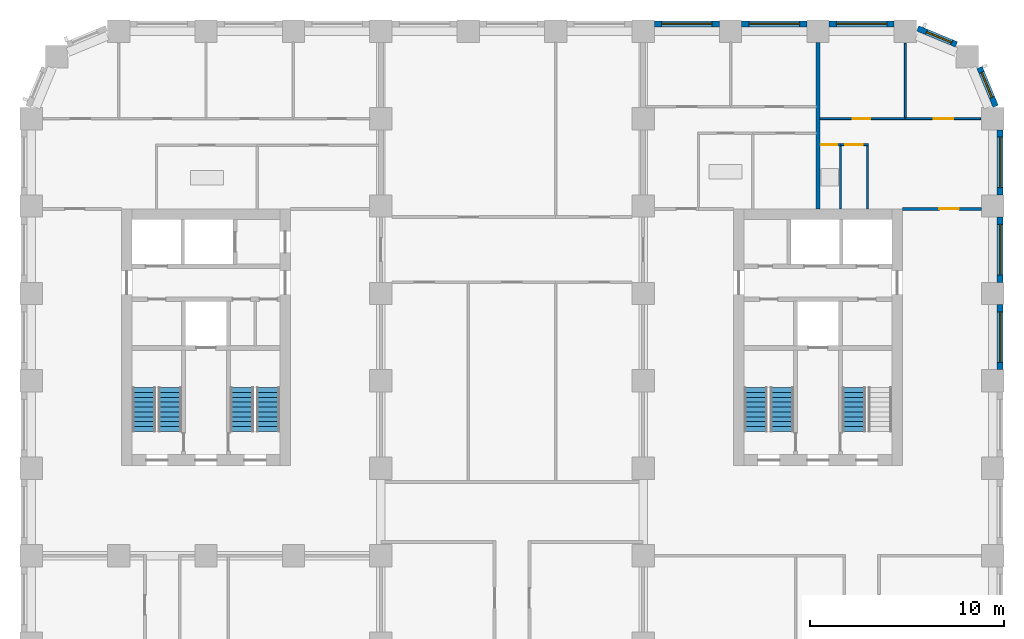
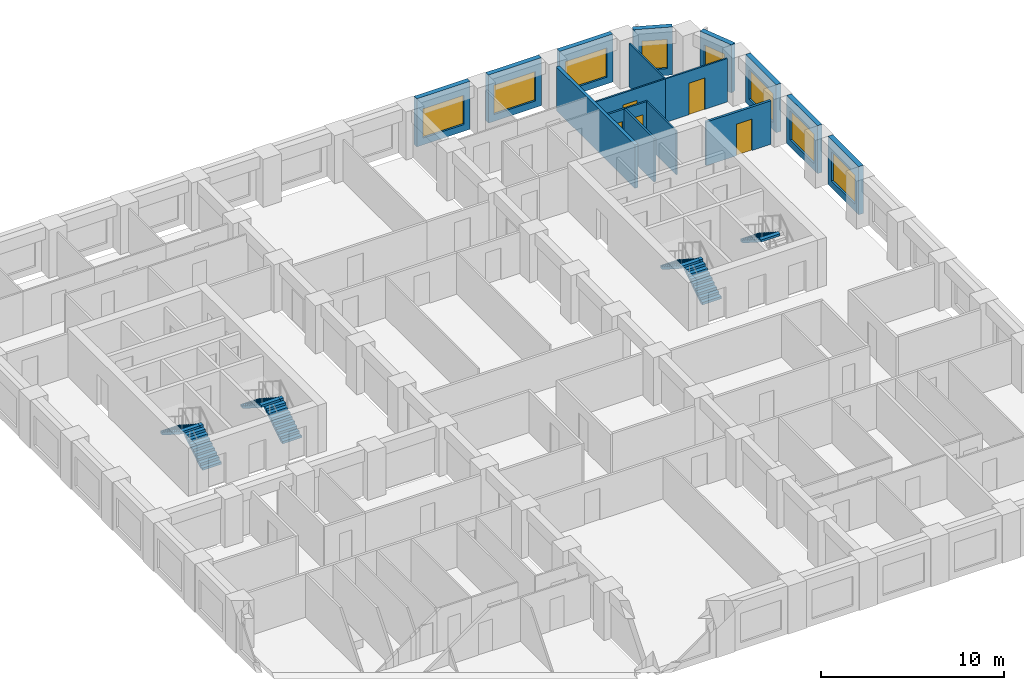
# One storey, part 9 of 13: 17 walls, 8 windows, 7 stair flights, 5 doors, 13 openings, 4 elements without a shape of their own.
"""IFC4 building model written with IfcOpenShell, lengths in metres."""

import ifcopenshell
import ifcopenshell.guid

model = None  # the IFC model being written
_history = None  # IfcOwnerHistory: only IFC2X3 demands one
_inside = {}  # id of a spatial element -> (the spatial element, [elements in it])
_under = {}  # id of a project, library or spatial element -> (it, [spatial elements below it])
_declared = {}  # id of a project -> (the project, [libraries it declares])
_typed = {}  # id of a type object -> (the type object, [elements of that type])
_made_of = {}  # id of a material, layer set ... -> (it, [elements and type objects made of it])


def new_model(schema):
    """Start an empty IFC model of exactly this schema.

    Asked for "IFC4X3", IfcOpenShell would pick the latest addendum, in which some entities
    have other attributes; the version numbers below select the first issue.
    IFC2X3 requires an IfcOwnerHistory on every rooted entity: one is made here for all.
    """
    global model, _history
    if schema == "IFC4X3":
        model = ifcopenshell.file(schema_version=(4, 3, 0, 0))
    else:
        model = ifcopenshell.file(schema=schema)
    _inside.clear()
    _under.clear()
    _declared.clear()
    _typed.clear()
    _made_of.clear()
    _history = None
    if model.schema == "IFC2X3":
        org = make("IfcOrganization", Name="unknown")
        user = make(
            "IfcPersonAndOrganization",
            ThePerson=make("IfcPerson", FamilyName="unknown"),
            TheOrganization=org,
        )
        app = make(
            "IfcApplication",
            ApplicationDeveloper=org,
            Version="unknown",
            ApplicationFullName="unknown",
            ApplicationIdentifier="unknown",
        )
        _history = make(
            "IfcOwnerHistory",
            OwningUser=user,
            OwningApplication=app,
            ChangeAction="ADDED",
            CreationDate=0,
        )
    return model


def make(cls, **values):
    """One entity of the class cls with the attributes given. An attribute that is None is left unset."""
    return model.create_entity(
        cls, **{name: value for name, value in values.items() if value is not None}
    )


def rooted(cls, **values):
    """An entity with a GlobalId (a new one), such as an element, a storey or a relation."""
    return make(cls, GlobalId=ifcopenshell.guid.new(), OwnerHistory=_history, **values)


def si_unit(unit_type, name, prefix=None):
    """IfcSIUnit, for example si_unit("LENGTHUNIT", "METRE", prefix="MILLI")."""
    return make("IfcSIUnit", UnitType=unit_type, Prefix=prefix, Name=name)


def assignment(units):
    """IfcUnitAssignment: the units of a project."""
    return None if units is None else make("IfcUnitAssignment", Units=units)


def point(xyz):
    """IfcCartesianPoint."""
    return None if xyz is None else make("IfcCartesianPoint", Coordinates=xyz)


def direction(xyz):
    """IfcDirection."""
    return None if xyz is None else make("IfcDirection", DirectionRatios=xyz)


def frame(location, z_axis=None, x_axis=None):
    """IfcAxis2Placement3D, a coordinate frame: its origin and axes. An axis left out is left unset."""
    return make(
        "IfcAxis2Placement3D",
        Location=point(location),
        Axis=direction(z_axis),
        RefDirection=direction(x_axis),
    )


def frame_2d(location, x_axis=None):
    """IfcAxis2Placement2D, a coordinate frame in the plane: its origin and x axis."""
    return make(
        "IfcAxis2Placement2D", Location=point(location), RefDirection=direction(x_axis)
    )


def origin():
    """The frame at (0, 0, 0) with its axes left unset."""
    return frame((0.0, 0.0, 0.0))


def place(relative_to, where):
    """IfcLocalPlacement: puts the frame where relative to a parent placement (None: the world)."""
    return make(
        "IfcLocalPlacement", PlacementRelTo=relative_to, RelativePlacement=where
    )


def context(
    kind, dimensions, precision=None, world=None, true_north=None, identifier=None
):
    """IfcGeometricRepresentationContext, for example the 3D "Model" context."""
    return make(
        "IfcGeometricRepresentationContext",
        ContextIdentifier=identifier,
        ContextType=kind,
        CoordinateSpaceDimension=dimensions,
        Precision=precision,
        WorldCoordinateSystem=world,
        TrueNorth=true_north,
    )


def subcontext(parent, identifier, kind, view, scale=None):
    """IfcGeometricRepresentationSubContext, for example "Body" below "Model"."""
    return make(
        "IfcGeometricRepresentationSubContext",
        ContextIdentifier=identifier,
        ContextType=kind,
        ParentContext=parent,
        TargetScale=scale,
        TargetView=view,
    )


def project(units=None, contexts=None):
    """IfcProject with its units and contexts."""
    return rooted(
        "IfcProject",
        Name="project",
        RepresentationContexts=contexts,
        UnitsInContext=assignment(units),
    )


def spatial(cls, under=None, at=None, **own):
    """A site, building, storey or space (cls), placed at a placement, below another one or the project."""
    s = rooted(cls, ObjectPlacement=at, **own)
    if under is not None:
        _under.setdefault(under.id(), (under, []))[1].append(s)
    return s


def polyline(points):
    """IfcPolyline through the points."""
    return make("IfcPolyline", Points=[point(p) for p in points])


def profile(cls, at=None, kind="AREA", **sizes):
    """A parametric profile (cls). Its sizes go by their IFC names, for example OverallWidth=200.0."""
    return make(cls, ProfileType=kind, Position=at, **sizes)


def rectangle(**sizes):
    """IfcRectangleProfileDef."""
    return profile("IfcRectangleProfileDef", **sizes)


def outline(outer, holes=None, kind="AREA"):
    """IfcArbitraryClosedProfileDef: a profile drawn as a closed curve; with holes, ...WithVoids."""
    if holes is None:
        return make("IfcArbitraryClosedProfileDef", ProfileType=kind, OuterCurve=outer)
    return make(
        "IfcArbitraryProfileDefWithVoids",
        ProfileType=kind,
        OuterCurve=outer,
        InnerCurves=holes,
    )


def extrude(swept, where, along, depth):
    """IfcExtrudedAreaSolid: the profile swept, set in the frame where, extruded along a direction by depth."""
    return make(
        "IfcExtrudedAreaSolid",
        SweptArea=swept,
        Position=where,
        ExtrudedDirection=direction(along),
        Depth=depth,
    )


def shape(context_of_items, identifier, shape_type, items):
    """IfcShapeRepresentation: the items that make up one representation, for example the "Body"."""
    return make(
        "IfcShapeRepresentation",
        ContextOfItems=context_of_items,
        RepresentationIdentifier=identifier,
        RepresentationType=shape_type,
        Items=items,
    )


def material(Name=None, Category=None):
    """IfcMaterial."""
    return make("IfcMaterial", Name=Name, Category=Category)


def layer(
    of_material, thickness, ventilated=None, Name=None, Category=None, Priority=None
):
    """IfcMaterialLayer: one layer of a wall or slab, of a material (None: an air gap)."""
    return make(
        "IfcMaterialLayer",
        Material=of_material,
        LayerThickness=thickness,
        IsVentilated=ventilated,
        Name=Name,
        Category=Category,
        Priority=Priority,
    )


def layer_set(layers, Name=None):
    """IfcMaterialLayerSet."""
    return make("IfcMaterialLayerSet", MaterialLayers=layers, LayerSetName=Name)


def made_of(thing, what):
    """Note that an element or type object is made of a material, layer set ...; save() writes the relation."""
    if what is not None:
        _made_of.setdefault(what.id(), (what, []))[1].append(thing)
    return thing


def type_object(cls, material=None, **own):
    """A type object (cls), such as IfcWallType, which elements share."""
    return made_of(rooted(cls, **own), material)


def element(
    cls,
    number,
    at=None,
    inside=None,
    cuts=None,
    type_object=None,
    material=None,
    context=None,
    identifier="Body",
    shape_type=None,
    held_by="IfcProductDefinitionShape",
    body=None,
    shapes=None,
    **own,
):
    """One element of the class cls, such as IfcWall. Its Tag is "e" and its number.

    at: its placement. inside: the storey or other place that contains it. cuts: it is an
    opening in that element (IfcRelVoidsElement). A single representation is given by context,
    identifier, shape_type and body (its items); several are given by shapes. held_by: the class
    of the entity that holds the representations. save() writes the other relations.
    """
    e = rooted(cls, Tag="e%d" % number, ObjectPlacement=at, **own)
    if body is not None:
        shapes = [shape(context, identifier, shape_type, body)]
    if shapes is not None:
        e.Representation = make(held_by, Representations=shapes)
    if inside is not None:
        _inside.setdefault(inside.id(), (inside, []))[1].append(e)
    if cuts is not None:
        rooted(
            "IfcRelVoidsElement", RelatingBuildingElement=cuts, RelatedOpeningElement=e
        )
    if type_object is not None:
        _typed.setdefault(type_object.id(), (type_object, []))[1].append(e)
    return made_of(e, material)


def fill(opening, filler):
    """IfcRelFillsElement: the door or window that sits in an opening."""
    return rooted(
        "IfcRelFillsElement",
        RelatingOpeningElement=opening,
        RelatedBuildingElement=filler,
    )


def aggregate(whole, parts):
    """IfcRelAggregates: a whole, such as a stair, and the parts it consists of."""
    return rooted("IfcRelAggregates", RelatingObject=whole, RelatedObjects=parts)


def save(model, path):
    """Write the relations noted so far, then the file.

    IfcRelAggregates (storeys below a building ...), IfcRelContainedInSpatialStructure (elements
    in a storey), IfcRelDefinesByType, IfcRelAssociatesMaterial and IfcRelDeclares: one each for
    every whole, place, type object, material and project.
    """
    for whole, parts in _under.values():
        aggregate(whole, parts)
    for where, things in _inside.values():
        rooted(
            "IfcRelContainedInSpatialStructure",
            RelatedElements=things,
            RelatingStructure=where,
        )
    for kind, things in _typed.values():
        rooted("IfcRelDefinesByType", RelatedObjects=things, RelatingType=kind)
    for what, things in _made_of.values():
        rooted("IfcRelAssociatesMaterial", RelatedObjects=things, RelatingMaterial=what)
    for by, libraries in _declared.values():
        rooted("IfcRelDeclares", RelatingContext=by, RelatedDefinitions=libraries)
    model.write(path)


model = new_model("IFC4")

# Units and contexts
model_context = context("Model", 3, precision=1e-05, world=origin(), true_north=direction((0.0, 1.0)))
body_context = subcontext(model_context, "Body", "Model", "MODEL_VIEW")
ifc_project = project(units=[si_unit("LENGTHUNIT", "METRE"), si_unit("AREAUNIT", "SQUARE_METRE"), si_unit("VOLUMEUNIT", "CUBIC_METRE"), si_unit("PLANEANGLEUNIT", "RADIAN"), si_unit("MASSUNIT", "GRAM", prefix="KILO")], contexts=[model_context])

# Site, building, storey
site_placement = place(None, origin())
site = spatial("IfcSite", under=ifc_project, at=site_placement, CompositionType="ELEMENT")
building_placement = place(site_placement, origin())
building = spatial("IfcBuilding", under=site, at=building_placement, Name="Girih Gate Residences", CompositionType="ELEMENT")
storey_placement = place(building_placement, frame((0.0, 0.0, 102.39990234375)))
storey = spatial("IfcBuildingStorey", under=building, at=storey_placement, Name="L28", CompositionType="ELEMENT", Elevation=102.39990234375)

# Wall, opening, door
ifc_material_1 = material(Name="Gypsum board on steel studs", Category="steel")
ifc_layer_1 = layer(ifc_material_1, 0.14990234375)
ifc_layer_set_1 = layer_set([ifc_layer_1], Name="Compartment wall 150 mm")
wall_type_1 = type_object("IfcWallType", Name="Compartment wall 150 mm", PredefinedType="PARTITIONING", material=ifc_layer_set_1)
wall_1_placement = place(storey_placement, frame((44.85009765625, 40.35009765625, 0.0), z_axis=(0.0, 0.0, 1.0), x_axis=(1.0, 0.0, 0.0)))
wall_1 = element("IfcWall", 1, at=wall_1_placement, inside=storey, type_object=wall_type_1, Name="L28 partition", PredefinedType="PARTITIONING", context=body_context, shape_type="SweptSolid", body=[
    extrude(rectangle(XDim=4.074951171875, YDim=0.14990234375, at=frame_2d((2.03759765625, 0.0))), origin(), (0.0, 0.0, 1.0), 2.900146484375),
])
opening_1_placement = place(wall_1_placement, frame((1.89990234375, 0.0, 0.0)))
opening_1 = element("IfcOpeningElement", 2, at=opening_1_placement, cuts=wall_1, Name="Opening A28-033", PredefinedType="OPENING", context=body_context, shape_type="SweptSolid", body=[
    extrude(rectangle(XDim=1.0, YDim=2.10009765625, at=frame_2d((0.5, 1.050048828125))), frame((0.0, 0.0849609375, 0.0), z_axis=(0.0, -1.0, 0.0), x_axis=(1.0, 0.0, 0.0)), (0.0, 0.0, 1.0), 0.169921875),
])
ifc_material_2 = material(Name="Timber, fire-rated core", Category="wood")
door_type_1 = type_object("IfcDoorType", Name="Flat entrance door 1000x2100 FD30S", OperationType="NOTDEFINED", PredefinedType="DOOR", material=ifc_material_2)
door_1_placement = place(opening_1_placement, origin())
door_1 = element("IfcDoor", 3, at=door_1_placement, inside=storey, type_object=door_type_1, Name="Door A28-033", OperationType="SINGLE_SWING_RIGHT", OverallHeight=2.10009765625, OverallWidth=1.0, PredefinedType="DOOR", context=body_context, shape_type="SweptSolid", body=[
    extrude(rectangle(XDim=1.0, YDim=2.10009765625, at=frame_2d((0.5, 1.050048828125))), frame((0.0, 0.02490234375, 0.0), z_axis=(0.0, -1.0, 0.0), x_axis=(1.0, 0.0, 0.0)), (0.0, 0.0, 1.0), 0.050048828125),
])
fill(opening_1, door_1)

ifc_layer_2 = layer(ifc_material_1, 0.10009765625)
ifc_layer_set_2 = layer_set([ifc_layer_2], Name="Partition 100 mm")
wall_type_2 = type_object("IfcWallType", Name="Partition 100 mm", PredefinedType="PARTITIONING", material=ifc_layer_set_2)
wall_2_placement = place(storey_placement, frame((40.60009765625, 45.0, 0.0), z_axis=(0.0, 0.0, 1.0), x_axis=(1.0, 0.0, 0.0)))
wall_2 = element("IfcWall", 4, at=wall_2_placement, inside=storey, type_object=wall_type_2, Name="L28 partition", PredefinedType="PARTITIONING", context=body_context, shape_type="SweptSolid", body=[
    extrude(rectangle(XDim=4.39990234375, YDim=0.10009765625, at=frame_2d((2.199951171875, 0.0))), origin(), (0.0, 0.0, 1.0), 2.900146484375),
])
opening_2_placement = place(wall_2_placement, frame((1.699951171875, 0.0, 0.0)))
opening_2 = element("IfcOpeningElement", 5, at=opening_2_placement, cuts=wall_2, Name="Opening A28-030", PredefinedType="OPENING", context=body_context, shape_type="SweptSolid", body=[
    extrude(rectangle(XDim=0.89990234375, YDim=2.10009765625, at=frame_2d((0.449951171875, 1.050048828125))), frame((0.0, 0.06005859375, 0.0), z_axis=(0.0, -1.0, 0.0), x_axis=(1.0, 0.0, 0.0)), (0.0, 0.0, 1.0), 0.1201171875),
])
ifc_material_3 = material(Name="Timber", Category="wood")
door_type_2 = type_object("IfcDoorType", Name="Bedroom door 900x2100", OperationType="NOTDEFINED", PredefinedType="DOOR", material=ifc_material_3)
door_2_placement = place(opening_2_placement, origin())
door_2 = element("IfcDoor", 6, at=door_2_placement, inside=storey, type_object=door_type_2, Name="Door A28-030", OperationType="SINGLE_SWING_LEFT", OverallHeight=2.10009765625, OverallWidth=0.89990234375, PredefinedType="DOOR", context=body_context, shape_type="SweptSolid", body=[
    extrude(rectangle(XDim=0.89990234375, YDim=2.10009765625, at=frame_2d((0.449951171875, 1.050048828125))), frame((0.0, 0.02490234375, 0.0), z_axis=(0.0, -1.0, 0.0), x_axis=(1.0, 0.0, 0.0)), (0.0, 0.0, 1.0), 0.050048828125),
])
fill(opening_2, door_2)

# Walls
wall_3_placement = place(storey_placement, frame((45.0, 45.050048828125, 0.0), z_axis=(0.0, 0.0, 1.0), x_axis=(0.0, 1.0, 0.0)))
element("IfcWall", 7, at=wall_3_placement, inside=storey, type_object=wall_type_2, Name="L28 partition", PredefinedType="PARTITIONING", context=body_context, shape_type="SweptSolid", body=[
    extrude(rectangle(XDim=3.82763671875, YDim=0.10009765625, at=frame_2d((1.913818359375, 0.0))), origin(), (0.0, 0.0, 1.0), 2.900146484375),
])
wall_4_placement = place(storey_placement, frame((43.050048828125, 40.35009765625, 0.0), z_axis=(0.0, 0.0, 1.0), x_axis=(0.0, 1.0, 0.0)))
element("IfcWall", 8, at=wall_4_placement, inside=storey, type_object=wall_type_2, Name="L28 partition", PredefinedType="PARTITIONING", context=body_context, shape_type="SweptSolid", body=[
    extrude(rectangle(XDim=3.260009765625, YDim=0.10009765625, at=frame_2d((1.6298828125, 0.0))), origin(), (0.0, 0.0, 1.0), 2.900146484375),
])

# Wall, opening, door
wall_5_placement = place(storey_placement, frame((43.10009765625, 43.659912109375, 0.0), z_axis=(0.0, 0.0, 1.0), x_axis=(-1.0, 0.0, 0.0)))
wall_5 = element("IfcWall", 9, at=wall_5_placement, inside=storey, type_object=wall_type_2, Name="L28 partition", PredefinedType="PARTITIONING", context=body_context, shape_type="SweptSolid", body=[
    extrude(rectangle(XDim=1.44091796875, YDim=0.10009765625, at=frame_2d((0.720458984375, 0.0))), origin(), (0.0, 0.0, 1.0), 2.900146484375),
])
opening_3_placement = place(wall_5_placement, frame((0.29541015625, 0.0, 0.0)))
opening_3 = element("IfcOpeningElement", 10, at=opening_3_placement, cuts=wall_5, Name="Opening A28-031", PredefinedType="OPENING", context=body_context, shape_type="SweptSolid", body=[
    extrude(rectangle(XDim=0.89990234375, YDim=2.10009765625, at=frame_2d((0.449951171875, 1.050048828125))), frame((0.0, 0.06005859375, 0.0), z_axis=(0.0, -1.0, 0.0), x_axis=(1.0, 0.0, 0.0)), (0.0, 0.0, 1.0), 0.1201171875),
])
door_type_3 = type_object("IfcDoorType", Name="Kitchen door 900x2100", OperationType="NOTDEFINED", PredefinedType="DOOR", material=ifc_material_3)
door_3_placement = place(opening_3_placement, origin())
door_3 = element("IfcDoor", 11, at=door_3_placement, inside=storey, type_object=door_type_3, Name="Door A28-031", OperationType="SINGLE_SWING_RIGHT", OverallHeight=2.10009765625, OverallWidth=0.89990234375, PredefinedType="DOOR", context=body_context, shape_type="SweptSolid", body=[
    extrude(rectangle(XDim=0.89990234375, YDim=2.10009765625, at=frame_2d((0.449951171875, 1.050048828125))), frame((0.0, 0.02490234375, 0.0), z_axis=(0.0, -1.0, 0.0), x_axis=(1.0, 0.0, 0.0)), (0.0, 0.0, 1.0), 0.050048828125),
])
fill(opening_3, door_3)

wall_6_placement = place(storey_placement, frame((45.0, 45.0, 0.0), z_axis=(0.0, 0.0, 1.0), x_axis=(1.0, 0.0, 0.0)))
wall_6 = element("IfcWall", 12, at=wall_6_placement, inside=storey, type_object=wall_type_2, Name="L28 partition", PredefinedType="PARTITIONING", context=body_context, shape_type="SweptSolid", body=[
    extrude(rectangle(XDim=3.877685546875, YDim=0.10009765625, at=frame_2d((1.93896484375, 0.0))), origin(), (0.0, 0.0, 1.0), 2.900146484375),
])
opening_4_placement = place(wall_6_placement, frame((1.46240234375, 0.0, 0.0)))
opening_4 = element("IfcOpeningElement", 13, at=opening_4_placement, cuts=wall_6, Name="Opening A28-032", PredefinedType="OPENING", context=body_context, shape_type="SweptSolid", body=[
    extrude(rectangle(XDim=1.0, YDim=2.10009765625, at=frame_2d((0.5, 1.050048828125))), frame((0.0, 0.06005859375, 0.0), z_axis=(0.0, -1.0, 0.0), x_axis=(1.0, 0.0, 0.0)), (0.0, 0.0, 1.0), 0.1201171875),
])
door_type_4 = type_object("IfcDoorType", Name="Living room door 1000x2100", OperationType="NOTDEFINED", PredefinedType="DOOR", material=ifc_material_3)
door_4_placement = place(opening_4_placement, origin())
door_4 = element("IfcDoor", 14, at=door_4_placement, inside=storey, type_object=door_type_4, Name="Door A28-032", OperationType="SINGLE_SWING_RIGHT", OverallHeight=2.10009765625, OverallWidth=1.0, PredefinedType="DOOR", context=body_context, shape_type="SweptSolid", body=[
    extrude(rectangle(XDim=1.0, YDim=2.10009765625, at=frame_2d((0.5, 1.050048828125))), frame((0.0, 0.02490234375, 0.0), z_axis=(0.0, -1.0, 0.0), x_axis=(1.0, 0.0, 0.0)), (0.0, 0.0, 1.0), 0.050048828125),
])
fill(opening_4, door_4)

# Wall
ifc_layer_3 = layer(ifc_material_1, 0.199951171875)
ifc_layer_set_3 = layer_set([ifc_layer_3], Name="Party wall 200 mm")
wall_type_3 = type_object("IfcWallType", Name="Party wall 200 mm", PredefinedType="PARTITIONING", material=ifc_layer_set_3)
wall_7_placement = place(storey_placement, frame((40.5, 40.35009765625, 0.0), z_axis=(0.0, 0.0, 1.0), x_axis=(0.0, 1.0, 0.0)))
element("IfcWall", 15, at=wall_7_placement, inside=storey, type_object=wall_type_3, Name="L28 partition", PredefinedType="PARTITIONING", context=body_context, shape_type="SweptSolid", body=[
    extrude(rectangle(XDim=8.574951171875, YDim=0.199951171875, at=frame_2d((4.28759765625, 0.0))), origin(), (0.0, 0.0, 1.0), 2.900146484375),
])

# Wall, opening, window
ifc_material_4 = material(Name="Precast concrete C50/60", Category="concrete")
ifc_layer_4 = layer(ifc_material_4, 0.080078125, Name="Outer leaf")
ifc_material_5 = material(Name="Rigid PIR insulation")
ifc_layer_5 = layer(ifc_material_5, 0.14990234375, Name="Insulation")
ifc_material_6 = material(Name="Precast concrete C40/50", Category="concrete")
ifc_layer_6 = layer(ifc_material_6, 0.070068359375, Name="Inner leaf")
ifc_layer_set_4 = layer_set([ifc_layer_4, ifc_layer_5, ifc_layer_6], Name="Precast concrete C50/60 external wall 300")
wall_type_4 = type_object("IfcWallType", Name="Precast concrete C50/60 external wall 300", PredefinedType="SOLIDWALL", material=ifc_layer_set_4)
wall_8_placement = place(storey_placement, frame((49.875, 35.425048828125, 0.0), z_axis=(0.0, 0.0, 1.0), x_axis=(0.0, -1.0, 0.0)))
wall_8 = element("IfcWall", 16, at=wall_8_placement, inside=storey, type_object=wall_type_4, Name="External wall E0495_0045.6", PredefinedType="SOLIDWALL", context=body_context, shape_type="SweptSolid", body=[
    extrude(rectangle(XDim=3.35009765625, YDim=0.300048828125, at=frame_2d((1.675048828125, 0.0))), origin(), (0.0, 0.0, 1.0), 3.2001953125),
])
opening_5_placement = place(wall_8_placement, frame((0.375, 0.0, 0.449951171875)))
opening_5 = element("IfcOpeningElement", 17, at=opening_5_placement, cuts=wall_8, Name="Opening W-1A", PredefinedType="OPENING", context=body_context, shape_type="SweptSolid", body=[
    extrude(rectangle(XDim=2.60009765625, YDim=1.949951171875, at=frame_2d((1.300048828125, 0.97509765625))), frame((0.0, 0.159912109375, 0.0), z_axis=(0.0, -1.0, 0.0), x_axis=(1.0, 0.0, 0.0)), (0.0, 0.0, 1.0), 0.320068359375),
])
ifc_material_7 = material(Name="Double glazing in aluminium frame", Category="aluminium")
window_type_1 = type_object("IfcWindowType", Name="Window W-1A 2600x1950", PartitioningType="SINGLE_PANEL", PredefinedType="WINDOW", material=ifc_material_7)
window_1_placement = place(opening_5_placement, origin())
window_1 = element("IfcWindow", 18, at=window_1_placement, inside=storey, type_object=window_type_1, Name="Window W-1A E0495_0045.6", OverallHeight=1.949951171875, OverallWidth=2.60009765625, PartitioningType="SINGLE_PANEL", PredefinedType="WINDOW", context=body_context, shape_type="SweptSolid", body=[
    extrude(rectangle(XDim=2.60009765625, YDim=1.949951171875, at=frame_2d((1.300048828125, 0.97509765625))), frame((0.0, 0.030029296875, 0.0), z_axis=(0.0, -1.0, 0.0), x_axis=(1.0, 0.0, 0.0)), (0.0, 0.0, 1.0), 0.06005859375),
])
fill(opening_5, window_1)

wall_9_placement = place(storey_placement, frame((49.875, 39.925048828125, 0.0), z_axis=(0.0, 0.0, 1.0), x_axis=(0.0, -1.0, 0.0)))
wall_9 = element("IfcWall", 19, at=wall_9_placement, inside=storey, type_object=wall_type_4, Name="External wall E0495_0045.7", PredefinedType="SOLIDWALL", context=body_context, shape_type="SweptSolid", body=[
    extrude(rectangle(XDim=3.35009765625, YDim=0.300048828125, at=frame_2d((1.675048828125, 0.0))), origin(), (0.0, 0.0, 1.0), 3.2001953125),
])
opening_6_placement = place(wall_9_placement, frame((0.375, 0.0, 0.449951171875)))
opening_6 = element("IfcOpeningElement", 20, at=opening_6_placement, cuts=wall_9, Name="Opening W-1A", PredefinedType="OPENING", context=body_context, shape_type="SweptSolid", body=[
    extrude(rectangle(XDim=2.60009765625, YDim=1.949951171875, at=frame_2d((1.300048828125, 0.97509765625))), frame((0.0, 0.159912109375, 0.0), z_axis=(0.0, -1.0, 0.0), x_axis=(1.0, 0.0, 0.0)), (0.0, 0.0, 1.0), 0.320068359375),
])
window_2_placement = place(opening_6_placement, origin())
window_2 = element("IfcWindow", 21, at=window_2_placement, inside=storey, type_object=window_type_1, Name="Window W-1A E0495_0045.7", OverallHeight=1.949951171875, OverallWidth=2.60009765625, PartitioningType="SINGLE_PANEL", PredefinedType="WINDOW", context=body_context, shape_type="SweptSolid", body=[
    extrude(rectangle(XDim=2.60009765625, YDim=1.949951171875, at=frame_2d((1.300048828125, 0.97509765625))), frame((0.0, 0.030029296875, 0.0), z_axis=(0.0, -1.0, 0.0), x_axis=(1.0, 0.0, 0.0)), (0.0, 0.0, 1.0), 0.06005859375),
])
fill(opening_6, window_2)

wall_10_placement = place(storey_placement, frame((49.875, 44.425048828125, 0.0), z_axis=(0.0, 0.0, 1.0), x_axis=(0.0, -1.0, 0.0)))
wall_10 = element("IfcWall", 22, at=wall_10_placement, inside=storey, type_object=wall_type_4, Name="External wall E0495_0045.8", PredefinedType="SOLIDWALL", context=body_context, shape_type="SweptSolid", body=[
    extrude(rectangle(XDim=3.35009765625, YDim=0.300048828125, at=frame_2d((1.675048828125, 0.0))), origin(), (0.0, 0.0, 1.0), 3.2001953125),
])
opening_7_placement = place(wall_10_placement, frame((0.375, 0.0, 0.449951171875)))
opening_7 = element("IfcOpeningElement", 23, at=opening_7_placement, cuts=wall_10, Name="Opening W-1A", PredefinedType="OPENING", context=body_context, shape_type="SweptSolid", body=[
    extrude(rectangle(XDim=2.60009765625, YDim=1.949951171875, at=frame_2d((1.300048828125, 0.97509765625))), frame((0.0, 0.159912109375, 0.0), z_axis=(0.0, -1.0, 0.0), x_axis=(1.0, 0.0, 0.0)), (0.0, 0.0, 1.0), 0.320068359375),
])
window_3_placement = place(opening_7_placement, origin())
window_3 = element("IfcWindow", 24, at=window_3_placement, inside=storey, type_object=window_type_1, Name="Window W-1A E0495_0045.8", OverallHeight=1.949951171875, OverallWidth=2.60009765625, PartitioningType="SINGLE_PANEL", PredefinedType="WINDOW", context=body_context, shape_type="SweptSolid", body=[
    extrude(rectangle(XDim=2.60009765625, YDim=1.949951171875, at=frame_2d((1.300048828125, 0.97509765625))), frame((0.0, 0.030029296875, 0.0), z_axis=(0.0, -1.0, 0.0), x_axis=(1.0, 0.0, 0.0)), (0.0, 0.0, 1.0), 0.06005859375),
])
fill(opening_7, window_3)

wall_11_placement = place(storey_placement, frame((48.81591796875, 47.63134765625, 0.0), z_axis=(0.0, 0.0, 1.0), x_axis=(0.382723818695, -0.923862802911, 0.0)))
wall_11 = element("IfcWall", 25, at=wall_11_placement, inside=storey, type_object=wall_type_4, Name="External wall NE0495_0450.0", PredefinedType="SOLIDWALL", context=body_context, shape_type="SweptSolid", body=[
    extrude(rectangle(XDim=2.163818359375, YDim=0.300048828125, at=frame_2d((1.08203125, 0.0))), origin(), (0.0, 0.0, 1.0), 3.2001953125),
])
opening_8_placement = place(wall_11_placement, frame((0.270751953125, 0.0, 0.449951171875)))
opening_8 = element("IfcOpeningElement", 26, at=opening_8_placement, cuts=wall_11, Name="Opening W-2D", PredefinedType="OPENING", context=body_context, shape_type="SweptSolid", body=[
    extrude(rectangle(XDim=1.39990234375, YDim=1.949951171875, at=frame_2d((0.699951171875, 0.97509765625))), frame((0.0, 0.159912109375, 0.0), z_axis=(0.0, -1.0, 0.0), x_axis=(1.0, 0.0, 0.0)), (0.0, 0.0, 1.0), 0.320068359375),
])
window_type_2 = type_object("IfcWindowType", Name="Window W-2D 1400x1950", PartitioningType="SINGLE_PANEL", PredefinedType="WINDOW", material=ifc_material_7)
window_4_placement = place(opening_8_placement, origin())
window_4 = element("IfcWindow", 27, at=window_4_placement, inside=storey, type_object=window_type_2, Name="Window W-2D NE0495_0450.0", OverallHeight=1.949951171875, OverallWidth=1.39990234375, PartitioningType="SINGLE_PANEL", PredefinedType="WINDOW", context=body_context, shape_type="SweptSolid", body=[
    extrude(rectangle(XDim=1.39990234375, YDim=1.949951171875, at=frame_2d((0.699951171875, 0.97509765625))), frame((0.0, 0.030029296875, 0.0), z_axis=(0.0, -1.0, 0.0), x_axis=(1.0, 0.0, 0.0)), (0.0, 0.0, 1.0), 0.06005859375),
])
fill(opening_8, window_4)

wall_12_placement = place(storey_placement, frame((45.63232421875, 49.64404296875, 0.0), z_axis=(0.0, 0.0, 1.0), x_axis=(0.923862802911, -0.382723818695, 0.0)))
wall_12 = element("IfcWall", 28, at=wall_12_placement, inside=storey, type_object=wall_type_4, Name="External wall NE0482_0482.0", PredefinedType="SOLIDWALL", context=body_context, shape_type="SweptSolid", body=[
    extrude(rectangle(XDim=2.163818359375, YDim=0.300048828125, at=frame_2d((1.08203125, 0.0))), origin(), (0.0, 0.0, 1.0), 3.2001953125),
])
opening_9_placement = place(wall_12_placement, frame((0.492919921875, 0.0, 0.449951171875)))
opening_9 = element("IfcOpeningElement", 29, at=opening_9_placement, cuts=wall_12, Name="Opening W-2D", PredefinedType="OPENING", context=body_context, shape_type="SweptSolid", body=[
    extrude(rectangle(XDim=1.39990234375, YDim=1.949951171875, at=frame_2d((0.699951171875, 0.97509765625))), frame((0.0, 0.159912109375, 0.0), z_axis=(0.0, -1.0, 0.0), x_axis=(1.0, 0.0, 0.0)), (0.0, 0.0, 1.0), 0.320068359375),
])
window_5_placement = place(opening_9_placement, origin())
window_5 = element("IfcWindow", 30, at=window_5_placement, inside=storey, type_object=window_type_2, Name="Window W-2D NE0482_0482.0", OverallHeight=1.949951171875, OverallWidth=1.39990234375, PartitioningType="SINGLE_PANEL", PredefinedType="WINDOW", context=body_context, shape_type="SweptSolid", body=[
    extrude(rectangle(XDim=1.39990234375, YDim=1.949951171875, at=frame_2d((0.699951171875, 0.97509765625))), frame((0.0, 0.030029296875, 0.0), z_axis=(0.0, -1.0, 0.0), x_axis=(1.0, 0.0, 0.0)), (0.0, 0.0, 1.0), 0.06005859375),
])
fill(opening_9, window_5)

wall_13_placement = place(storey_placement, frame((41.074951171875, 49.875, 0.0), z_axis=(0.0, 0.0, 1.0), x_axis=(1.0, 0.0, 0.0)))
wall_13 = element("IfcWall", 31, at=wall_13_placement, inside=storey, type_object=wall_type_4, Name="External wall N0450_0495.0", PredefinedType="SOLIDWALL", context=body_context, shape_type="SweptSolid", body=[
    extrude(rectangle(XDim=3.35009765625, YDim=0.300048828125, at=frame_2d((1.675048828125, 0.0))), origin(), (0.0, 0.0, 1.0), 3.2001953125),
])
opening_10_placement = place(wall_13_placement, frame((0.375, 0.0, 0.449951171875)))
opening_10 = element("IfcOpeningElement", 32, at=opening_10_placement, cuts=wall_13, Name="Opening W-1A", PredefinedType="OPENING", context=body_context, shape_type="SweptSolid", body=[
    extrude(rectangle(XDim=2.60009765625, YDim=1.949951171875, at=frame_2d((1.300048828125, 0.97509765625))), frame((0.0, 0.159912109375, 0.0), z_axis=(0.0, -1.0, 0.0), x_axis=(1.0, 0.0, 0.0)), (0.0, 0.0, 1.0), 0.320068359375),
])
window_6_placement = place(opening_10_placement, origin())
window_6 = element("IfcWindow", 33, at=window_6_placement, inside=storey, type_object=window_type_1, Name="Window W-1A N0450_0495.0", OverallHeight=1.949951171875, OverallWidth=2.60009765625, PartitioningType="SINGLE_PANEL", PredefinedType="WINDOW", context=body_context, shape_type="SweptSolid", body=[
    extrude(rectangle(XDim=2.60009765625, YDim=1.949951171875, at=frame_2d((1.300048828125, 0.97509765625))), frame((0.0, 0.030029296875, 0.0), z_axis=(0.0, -1.0, 0.0), x_axis=(1.0, 0.0, 0.0)), (0.0, 0.0, 1.0), 0.06005859375),
])
fill(opening_10, window_6)

wall_14_placement = place(storey_placement, frame((36.574951171875, 49.875, 0.0), z_axis=(0.0, 0.0, 1.0), x_axis=(1.0, 0.0, 0.0)))
wall_14 = element("IfcWall", 34, at=wall_14_placement, inside=storey, type_object=wall_type_4, Name="External wall N0450_0495.1", PredefinedType="SOLIDWALL", context=body_context, shape_type="SweptSolid", body=[
    extrude(rectangle(XDim=3.35009765625, YDim=0.300048828125, at=frame_2d((1.675048828125, 0.0))), origin(), (0.0, 0.0, 1.0), 3.2001953125),
])
opening_11_placement = place(wall_14_placement, frame((0.375, 0.0, 0.449951171875)))
opening_11 = element("IfcOpeningElement", 35, at=opening_11_placement, cuts=wall_14, Name="Opening W-1A", PredefinedType="OPENING", context=body_context, shape_type="SweptSolid", body=[
    extrude(rectangle(XDim=2.60009765625, YDim=1.949951171875, at=frame_2d((1.300048828125, 0.97509765625))), frame((0.0, 0.159912109375, 0.0), z_axis=(0.0, -1.0, 0.0), x_axis=(1.0, 0.0, 0.0)), (0.0, 0.0, 1.0), 0.320068359375),
])
window_7_placement = place(opening_11_placement, origin())
window_7 = element("IfcWindow", 36, at=window_7_placement, inside=storey, type_object=window_type_1, Name="Window W-1A N0450_0495.1", OverallHeight=1.949951171875, OverallWidth=2.60009765625, PartitioningType="SINGLE_PANEL", PredefinedType="WINDOW", context=body_context, shape_type="SweptSolid", body=[
    extrude(rectangle(XDim=2.60009765625, YDim=1.949951171875, at=frame_2d((1.300048828125, 0.97509765625))), frame((0.0, 0.030029296875, 0.0), z_axis=(0.0, -1.0, 0.0), x_axis=(1.0, 0.0, 0.0)), (0.0, 0.0, 1.0), 0.06005859375),
])
fill(opening_11, window_7)

wall_15_placement = place(storey_placement, frame((32.074951171875, 49.875, 0.0), z_axis=(0.0, 0.0, 1.0), x_axis=(1.0, 0.0, 0.0)))
wall_15 = element("IfcWall", 37, at=wall_15_placement, inside=storey, type_object=wall_type_4, Name="External wall N0450_0495.2", PredefinedType="SOLIDWALL", context=body_context, shape_type="SweptSolid", body=[
    extrude(rectangle(XDim=3.35009765625, YDim=0.300048828125, at=frame_2d((1.675048828125, 0.0))), origin(), (0.0, 0.0, 1.0), 3.2001953125),
])
opening_12_placement = place(wall_15_placement, frame((0.375, 0.0, 0.449951171875)))
opening_12 = element("IfcOpeningElement", 38, at=opening_12_placement, cuts=wall_15, Name="Opening W-1A", PredefinedType="OPENING", context=body_context, shape_type="SweptSolid", body=[
    extrude(rectangle(XDim=2.60009765625, YDim=1.949951171875, at=frame_2d((1.300048828125, 0.97509765625))), frame((0.0, 0.159912109375, 0.0), z_axis=(0.0, -1.0, 0.0), x_axis=(1.0, 0.0, 0.0)), (0.0, 0.0, 1.0), 0.320068359375),
])
window_8_placement = place(opening_12_placement, origin())
window_8 = element("IfcWindow", 39, at=window_8_placement, inside=storey, type_object=window_type_1, Name="Window W-1A N0450_0495.2", OverallHeight=1.949951171875, OverallWidth=2.60009765625, PartitioningType="SINGLE_PANEL", PredefinedType="WINDOW", context=body_context, shape_type="SweptSolid", body=[
    extrude(rectangle(XDim=2.60009765625, YDim=1.949951171875, at=frame_2d((1.300048828125, 0.97509765625))), frame((0.0, 0.030029296875, 0.0), z_axis=(0.0, -1.0, 0.0), x_axis=(1.0, 0.0, 0.0)), (0.0, 0.0, 1.0), 0.06005859375),
])
fill(opening_12, window_8)

# Wall, opening, door
ifc_layer_7 = layer(ifc_material_1, 0.125)
ifc_layer_set_5 = layer_set([ifc_layer_7], Name="Wet room wall 125 mm")
wall_type_5 = type_object("IfcWallType", Name="Wet room wall 125 mm", PredefinedType="PARTITIONING", material=ifc_layer_set_5)
wall_16_placement = place(storey_placement, frame((41.6591796875, 43.659912109375, 0.0), z_axis=(0.0, 0.0, 1.0), x_axis=(-1.0, 0.0, 0.0)))
wall_16 = element("IfcWall", 40, at=wall_16_placement, inside=storey, type_object=wall_type_5, Name="L28 partition", PredefinedType="PARTITIONING", context=body_context, shape_type="SweptSolid", body=[
    extrude(rectangle(XDim=1.05908203125, YDim=0.125, at=frame_2d((0.529541015625, 0.0))), origin(), (0.0, 0.0, 1.0), 2.900146484375),
])
opening_13_placement = place(wall_16_placement, frame((0.179443359375, 0.0, 0.0)))
opening_13 = element("IfcOpeningElement", 41, at=opening_13_placement, cuts=wall_16, Name="Opening A28-029", PredefinedType="OPENING", context=body_context, shape_type="SweptSolid", body=[
    extrude(rectangle(XDim=0.800048828125, YDim=2.10009765625, at=frame_2d((0.39990234375, 1.050048828125))), frame((0.0, 0.072509765625, 0.0), z_axis=(0.0, -1.0, 0.0), x_axis=(1.0, 0.0, 0.0)), (0.0, 0.0, 1.0), 0.14501953125),
])
door_type_5 = type_object("IfcDoorType", Name="Bathroom door 800x2100", OperationType="NOTDEFINED", PredefinedType="DOOR", material=ifc_material_3)
door_5_placement = place(opening_13_placement, origin())
door_5 = element("IfcDoor", 42, at=door_5_placement, inside=storey, type_object=door_type_5, Name="Door A28-029", OperationType="SINGLE_SWING_RIGHT", OverallHeight=2.10009765625, OverallWidth=0.800048828125, PredefinedType="DOOR", context=body_context, shape_type="SweptSolid", body=[
    extrude(rectangle(XDim=0.800048828125, YDim=2.10009765625, at=frame_2d((0.39990234375, 1.050048828125))), frame((0.0, 0.02490234375, 0.0), z_axis=(0.0, -1.0, 0.0), x_axis=(1.0, 0.0, 0.0)), (0.0, 0.0, 1.0), 0.050048828125),
])
fill(opening_13, door_5)

# Wall
wall_17_placement = place(storey_placement, frame((41.658935546875, 40.35009765625, 0.0), z_axis=(0.0, 0.0, 1.0), x_axis=(0.0, 1.0, 0.0)))
element("IfcWall", 43, at=wall_17_placement, inside=storey, type_object=wall_type_5, Name="L28 partition", PredefinedType="PARTITIONING", context=body_context, shape_type="SweptSolid", body=[
    extrude(rectangle(XDim=3.247314453125, YDim=0.125, at=frame_2d((1.62353515625, 0.0))), origin(), (0.0, 0.0, 1.0), 2.900146484375),
])

# Stair, stair flights
ifc_material_8 = material(Name="Concrete C40/50", Category="concrete")
stair_type = type_object("IfcStairType", Name="Exit stair", PredefinedType="HALF_TURN_STAIR", material=ifc_material_8)
stair_1_placement = place(storey_placement, origin())
stair_1 = element("IfcStair", 44, at=stair_1_placement, inside=storey, type_object=stair_type, Name="L28 Exit Stair ST-W1", PredefinedType="HALF_TURN_STAIR")
stair_flight_type = type_object("IfcStairFlightType", Name="Stair flight 1200", PredefinedType="STRAIGHT", material=ifc_material_8)
stair_flight_1_placement = place(storey_placement, frame((7.14990234375, 28.89990234375, 0.0), z_axis=(0.0, 0.0, 1.0), x_axis=(0.0, 1.0, 0.0)))
stair_flight_1 = element("IfcStairFlight", 45, at=stair_flight_1_placement, type_object=stair_flight_type, Name="ST-W1 flight 1", NumberOfRisers=10, NumberOfTreads=9, PredefinedType="STRAIGHT", RiserHeight=0.16, TreadLength=0.25, context=body_context, shape_type="SweptSolid", body=[
    extrude(outline(polyline([(0.0, 0.0), (0.0, 0.159912109375), (0.25, 0.159912109375), (0.25, 0.320068359375), (0.5, 0.320068359375), (0.5, 0.47998046875), (0.75, 0.47998046875), (0.75, 0.639892578125), (1.0, 0.639892578125), (1.0, 0.800048828125), (1.25, 0.800048828125), (1.25, 0.9599609375), (1.5, 0.9599609375), (1.5, 1.1201171875), (1.75, 1.1201171875), (1.75, 1.280029296875), (2.0, 1.280029296875), (2.0, 1.43994140625), (2.25, 1.43994140625), (2.25, 1.60009765625), (2.25, 1.29736328125), (0.222900390625, 0.0), (0.0, 0.0)])), frame((0.0, 0.60009765625, 0.0), z_axis=(0.0, -1.0, 0.0), x_axis=(1.0, 0.0, 0.0)), (0.0, 0.0, 1.0), 1.199951171875),
])
stair_flight_2_placement = place(storey_placement, frame((5.800048828125, 31.14990234375, 1.60009765625), z_axis=(0.0, 0.0, 1.0), x_axis=(0.0, -1.0, 0.0)))
stair_flight_2 = element("IfcStairFlight", 46, at=stair_flight_2_placement, type_object=stair_flight_type, Name="ST-W1 flight 2", NumberOfRisers=10, NumberOfTreads=9, PredefinedType="STRAIGHT", RiserHeight=0.16, TreadLength=0.25, context=body_context, shape_type="SweptSolid", body=[
    extrude(outline(polyline([(0.0, 0.0), (0.0, 0.159912109375), (0.25, 0.159912109375), (0.25, 0.320068359375), (0.5, 0.320068359375), (0.5, 0.47998046875), (0.75, 0.47998046875), (0.75, 0.639892578125), (1.0, 0.639892578125), (1.0, 0.800048828125), (1.25, 0.800048828125), (1.25, 0.9599609375), (1.5, 0.9599609375), (1.5, 1.1201171875), (1.75, 1.1201171875), (1.75, 1.280029296875), (2.0, 1.280029296875), (2.0, 1.43994140625), (2.25, 1.43994140625), (2.25, 1.60009765625), (2.25, 1.29736328125), (0.222900390625, 0.0), (0.0, 0.0)])), frame((0.0, 0.60009765625, 0.0), z_axis=(0.0, -1.0, 0.0), x_axis=(1.0, 0.0, 0.0)), (0.0, 0.0, 1.0), 1.199951171875),
])
aggregate(stair_1, [stair_flight_1, stair_flight_2])

stair_2_placement = place(storey_placement, origin())
stair_2 = element("IfcStair", 47, at=stair_2_placement, inside=storey, type_object=stair_type, Name="L28 Exit Stair ST-W2", PredefinedType="HALF_TURN_STAIR")
stair_flight_3_placement = place(storey_placement, frame((12.199951171875, 28.89990234375, 0.0), z_axis=(0.0, 0.0, 1.0), x_axis=(0.0, 1.0, 0.0)))
stair_flight_3 = element("IfcStairFlight", 48, at=stair_flight_3_placement, type_object=stair_flight_type, Name="ST-W2 flight 1", NumberOfRisers=10, NumberOfTreads=9, PredefinedType="STRAIGHT", RiserHeight=0.16, TreadLength=0.25, context=body_context, shape_type="SweptSolid", body=[
    extrude(outline(polyline([(0.0, 0.0), (0.0, 0.159912109375), (0.25, 0.159912109375), (0.25, 0.320068359375), (0.5, 0.320068359375), (0.5, 0.47998046875), (0.75, 0.47998046875), (0.75, 0.639892578125), (1.0, 0.639892578125), (1.0, 0.800048828125), (1.25, 0.800048828125), (1.25, 0.9599609375), (1.5, 0.9599609375), (1.5, 1.1201171875), (1.75, 1.1201171875), (1.75, 1.280029296875), (2.0, 1.280029296875), (2.0, 1.43994140625), (2.25, 1.43994140625), (2.25, 1.60009765625), (2.25, 1.29736328125), (0.222900390625, 0.0), (0.0, 0.0)])), frame((0.0, 0.60009765625, 0.0), z_axis=(0.0, -1.0, 0.0), x_axis=(1.0, 0.0, 0.0)), (0.0, 0.0, 1.0), 1.199951171875),
])
stair_flight_4_placement = place(storey_placement, frame((10.85009765625, 31.14990234375, 1.60009765625), z_axis=(0.0, 0.0, 1.0), x_axis=(0.0, -1.0, 0.0)))
stair_flight_4 = element("IfcStairFlight", 49, at=stair_flight_4_placement, type_object=stair_flight_type, Name="ST-W2 flight 2", NumberOfRisers=10, NumberOfTreads=9, PredefinedType="STRAIGHT", RiserHeight=0.16, TreadLength=0.25, context=body_context, shape_type="SweptSolid", body=[
    extrude(outline(polyline([(0.0, 0.0), (0.0, 0.159912109375), (0.25, 0.159912109375), (0.25, 0.320068359375), (0.5, 0.320068359375), (0.5, 0.47998046875), (0.75, 0.47998046875), (0.75, 0.639892578125), (1.0, 0.639892578125), (1.0, 0.800048828125), (1.25, 0.800048828125), (1.25, 0.9599609375), (1.5, 0.9599609375), (1.5, 1.1201171875), (1.75, 1.1201171875), (1.75, 1.280029296875), (2.0, 1.280029296875), (2.0, 1.43994140625), (2.25, 1.43994140625), (2.25, 1.60009765625), (2.25, 1.29736328125), (0.222900390625, 0.0), (0.0, 0.0)])), frame((0.0, 0.60009765625, 0.0), z_axis=(0.0, -1.0, 0.0), x_axis=(1.0, 0.0, 0.0)), (0.0, 0.0, 1.0), 1.199951171875),
])
aggregate(stair_2, [stair_flight_3, stair_flight_4])

# Stair, stair flight
stair_3_placement = place(storey_placement, origin())
stair_3 = element("IfcStair", 50, at=stair_3_placement, inside=storey, type_object=stair_type, Name="L28 Exit Stair ST-E1", PredefinedType="HALF_TURN_STAIR")
stair_flight_5_placement = place(storey_placement, frame((42.35009765625, 31.14990234375, 1.60009765625), z_axis=(0.0, 0.0, 1.0), x_axis=(0.0, -1.0, 0.0)))
stair_flight_5 = element("IfcStairFlight", 51, at=stair_flight_5_placement, type_object=stair_flight_type, Name="ST-E1 flight 2", NumberOfRisers=10, NumberOfTreads=9, PredefinedType="STRAIGHT", RiserHeight=0.16, TreadLength=0.25, context=body_context, shape_type="SweptSolid", body=[
    extrude(outline(polyline([(0.0, 0.0), (0.0, 0.159912109375), (0.25, 0.159912109375), (0.25, 0.320068359375), (0.5, 0.320068359375), (0.5, 0.47998046875), (0.75, 0.47998046875), (0.75, 0.639892578125), (1.0, 0.639892578125), (1.0, 0.800048828125), (1.25, 0.800048828125), (1.25, 0.9599609375), (1.5, 0.9599609375), (1.5, 1.1201171875), (1.75, 1.1201171875), (1.75, 1.280029296875), (2.0, 1.280029296875), (2.0, 1.43994140625), (2.25, 1.43994140625), (2.25, 1.60009765625), (2.25, 1.29736328125), (0.222900390625, 0.0), (0.0, 0.0)])), frame((0.0, 0.60009765625, 0.0), z_axis=(0.0, -1.0, 0.0), x_axis=(1.0, 0.0, 0.0)), (0.0, 0.0, 1.0), 1.199951171875),
])
aggregate(stair_3, [stair_flight_5])

# Stair, stair flights
stair_4_placement = place(storey_placement, origin())
stair_4 = element("IfcStair", 52, at=stair_4_placement, inside=storey, type_object=stair_type, Name="L28 Exit Stair ST-E2", PredefinedType="HALF_TURN_STAIR")
stair_flight_6_placement = place(storey_placement, frame((38.64990234375, 28.89990234375, 0.0), z_axis=(0.0, 0.0, 1.0), x_axis=(0.0, 1.0, 0.0)))
stair_flight_6 = element("IfcStairFlight", 53, at=stair_flight_6_placement, type_object=stair_flight_type, Name="ST-E2 flight 1", NumberOfRisers=10, NumberOfTreads=9, PredefinedType="STRAIGHT", RiserHeight=0.16, TreadLength=0.25, context=body_context, shape_type="SweptSolid", body=[
    extrude(outline(polyline([(0.0, 0.0), (0.0, 0.159912109375), (0.25, 0.159912109375), (0.25, 0.320068359375), (0.5, 0.320068359375), (0.5, 0.47998046875), (0.75, 0.47998046875), (0.75, 0.639892578125), (1.0, 0.639892578125), (1.0, 0.800048828125), (1.25, 0.800048828125), (1.25, 0.9599609375), (1.5, 0.9599609375), (1.5, 1.1201171875), (1.75, 1.1201171875), (1.75, 1.280029296875), (2.0, 1.280029296875), (2.0, 1.43994140625), (2.25, 1.43994140625), (2.25, 1.60009765625), (2.25, 1.29736328125), (0.222900390625, 0.0), (0.0, 0.0)])), frame((0.0, 0.60009765625, 0.0), z_axis=(0.0, -1.0, 0.0), x_axis=(1.0, 0.0, 0.0)), (0.0, 0.0, 1.0), 1.199951171875),
])
stair_flight_7_placement = place(storey_placement, frame((37.300048828125, 31.14990234375, 1.60009765625), z_axis=(0.0, 0.0, 1.0), x_axis=(0.0, -1.0, 0.0)))
stair_flight_7 = element("IfcStairFlight", 54, at=stair_flight_7_placement, type_object=stair_flight_type, Name="ST-E2 flight 2", NumberOfRisers=10, NumberOfTreads=9, PredefinedType="STRAIGHT", RiserHeight=0.16, TreadLength=0.25, context=body_context, shape_type="SweptSolid", body=[
    extrude(outline(polyline([(0.0, 0.0), (0.0, 0.159912109375), (0.25, 0.159912109375), (0.25, 0.320068359375), (0.5, 0.320068359375), (0.5, 0.47998046875), (0.75, 0.47998046875), (0.75, 0.639892578125), (1.0, 0.639892578125), (1.0, 0.800048828125), (1.25, 0.800048828125), (1.25, 0.9599609375), (1.5, 0.9599609375), (1.5, 1.1201171875), (1.75, 1.1201171875), (1.75, 1.280029296875), (2.0, 1.280029296875), (2.0, 1.43994140625), (2.25, 1.43994140625), (2.25, 1.60009765625), (2.25, 1.29736328125), (0.222900390625, 0.0), (0.0, 0.0)])), frame((0.0, 0.60009765625, 0.0), z_axis=(0.0, -1.0, 0.0), x_axis=(1.0, 0.0, 0.0)), (0.0, 0.0, 1.0), 1.199951171875),
])
aggregate(stair_4, [stair_flight_6, stair_flight_7])

save(model, "model.ifc")
